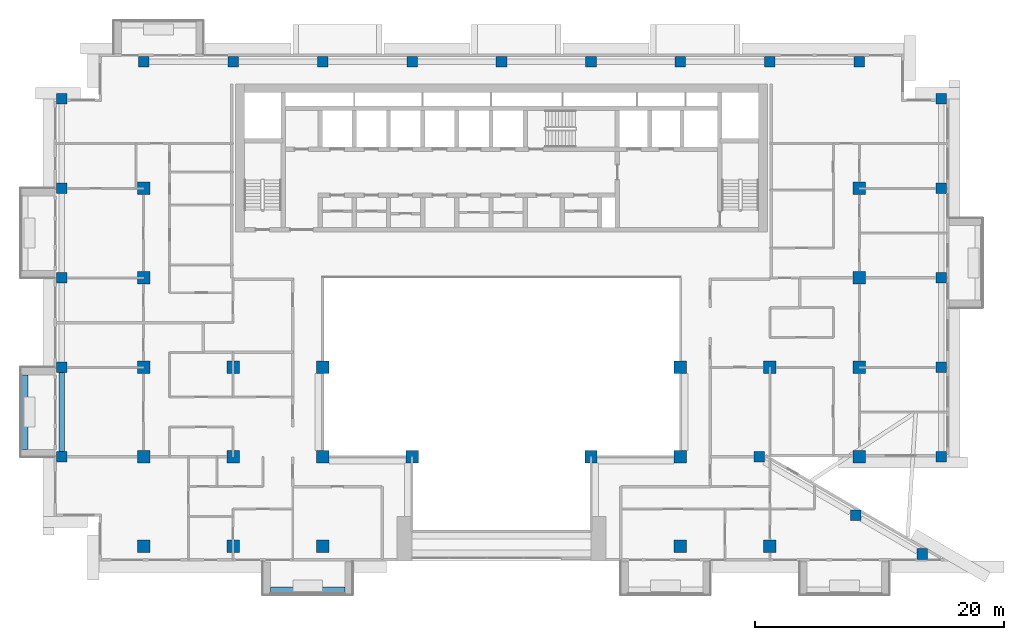
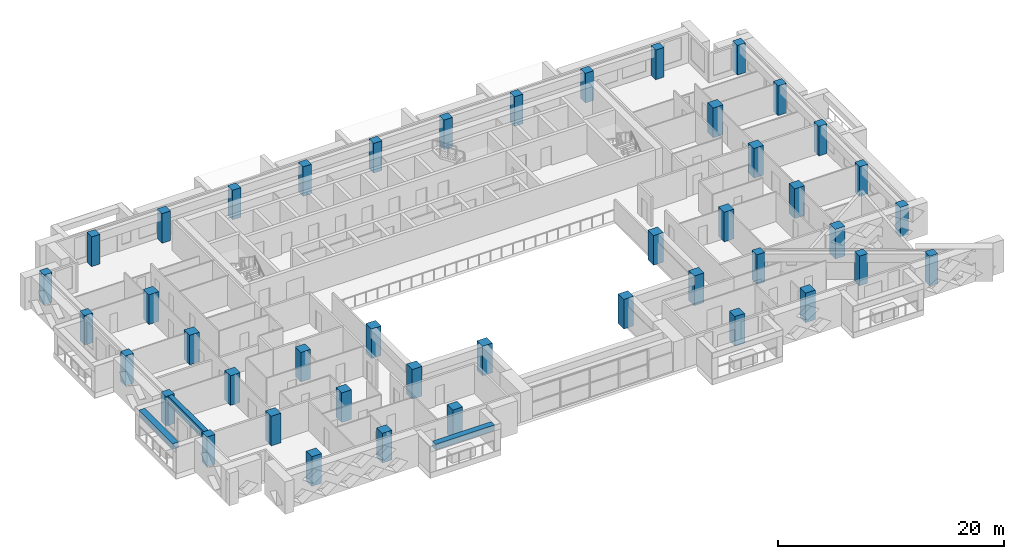
# One storey, part 1 of 20: 44 columns, 3 beams.
"""IFC4 building model written with IfcOpenShell, lengths in metres."""

from ifc_helpers import new_model, si_unit, direction, frame, origin, origin_2d, place, context, subcontext, project, spatial, rectangle, extrude, source, transform, mapped, material, material_profile, profile_set, type_object, element, save


model = new_model("IFC4")

# Units and contexts
model_context = context("Model", 3, precision=1e-05, world=origin(), true_north=direction((0.0, 1.0)))
body_context = subcontext(model_context, "Body", "Model", "MODEL_VIEW")
ifc_project = project(units=[si_unit("LENGTHUNIT", "METRE"), si_unit("AREAUNIT", "SQUARE_METRE"), si_unit("VOLUMEUNIT", "CUBIC_METRE"), si_unit("PLANEANGLEUNIT", "RADIAN"), si_unit("MASSUNIT", "GRAM", prefix="KILO")], contexts=[model_context])

# Site, building, storey
site_placement = place(None, origin())
site = spatial("IfcSite", under=ifc_project, at=site_placement, CompositionType="ELEMENT")
building_placement = place(site_placement, origin())
building = spatial("IfcBuilding", under=site, at=building_placement, Name="Saffron Iwan Residences", CompositionType="ELEMENT")
storey_placement = place(building_placement, frame((0.0, 0.0, 153.5)))
storey = spatial("IfcBuildingStorey", under=building, at=storey_placement, Name="L40", CompositionType="ELEMENT", Elevation=153.5)

# Columns
ifc_material_1 = material(Name="Concrete C50/60", Category="concrete")
ifc_material_profile_1 = material_profile(ifc_material_1, rectangle(XDim=0.85009765625, YDim=0.85009765625, at=origin_2d()), Name="RC 850x850")
ifc_profile_set_1 = profile_set([ifc_material_profile_1], Name="Concrete C50/60")
column_type_1 = type_object("IfcColumnType", Name="COL RC 850x850 C50/60 3200 HIGH", PredefinedType="COLUMN", material=ifc_profile_set_1)
shared_shape_1 = source(origin(), body_context, "Body", "SweptSolid", [
    extrude(rectangle(XDim=0.85009765625, YDim=0.85009765625, at=origin_2d()), origin(), (0.0, 0.0, 1.0), 3.199951171875),
])
for number, where, z_axis, x_axis, name in (
    (1, (84.276123046875, 40.17431640625, 0.0), (0.0, 0.0, 1.0), (1.0, 0.0, 0.0), "Column C045"),
    (2, (78.897705078125, 43.28173828125, 0.0), (0.0, 0.0, 1.0), (1.0, 0.0, 0.0), "Column C058"),
    (3, (15.0, 48.0, 0.0), (0.0, 0.0, 1.0), (1.0, 0.0, 0.0), "Column C061"),
    (4, (71.14990234375, 48.0, 0.0), (0.0, 0.0, 1.0), (1.0, 0.0, 0.0), "Column C070"),
    (5, (85.800048828125, 48.0, 0.0), (0.0, 0.0, 1.0), (1.0, 0.0, 0.0), "Column C074"),
    (6, (15.0, 55.199951171875, 0.0), (0.0, 0.0, 1.0), (1.0, 0.0, 0.0), "Column C077"),
    (7, (85.800048828125, 55.199951171875, 0.0), (0.0, 0.0, 1.0), (1.0, 0.0, 0.0), "Column C086"),
    (8, (15.0, 62.39990234375, 0.0), (0.0, 0.0, 1.0), (1.0, 0.0, 0.0), "Column C089"),
    (9, (85.800048828125, 62.39990234375, 0.0), (0.0, 0.0, 1.0), (1.0, 0.0, 0.0), "Column C094"),
    (10, (15.0, 69.60009765625, 0.0), (0.0, 0.0, 1.0), (1.0, 0.0, 0.0), "Column C097"),
    (11, (85.800048828125, 69.60009765625, 0.0), (0.0, 0.0, 1.0), (1.0, 0.0, 0.0), "Column C102"),
    (12, (15.0, 76.800048828125, 0.0), (0.0, 0.0, 1.0), (1.0, 0.0, 0.0), "Column C105"),
    (13, (85.800048828125, 76.800048828125, 0.0), (0.0, 0.0, 1.0), (1.0, 0.0, 0.0), "Column C110"),
    (14, (21.60009765625, 79.800048828125, 0.0), (0.0, 0.0, 1.0), (1.0, 0.0, 0.0), "Column C113"),
    (15, (28.800048828125, 79.800048828125, 0.0), (0.0, 0.0, 1.0), (1.0, 0.0, 0.0), "Column C115"),
    (16, (36.0, 79.800048828125, 0.0), (0.0, 0.0, 1.0), (1.0, 0.0, 0.0), "Column C116"),
    (17, (43.199951171875, 79.800048828125, 0.0), (0.0, 0.0, 1.0), (1.0, 0.0, 0.0), "Column C117"),
    (18, (50.39990234375, 79.800048828125, 0.0), (0.0, 0.0, 1.0), (1.0, 0.0, 0.0), "Column C118"),
    (19, (57.60009765625, 79.800048828125, 0.0), (0.0, 0.0, 1.0), (1.0, 0.0, 0.0), "Column C119"),
    (20, (64.800048828125, 79.800048828125, 0.0), (0.0, 0.0, 1.0), (1.0, 0.0, 0.0), "Column C120"),
    (21, (72.0, 79.800048828125, 0.0), (0.0, 0.0, 1.0), (1.0, 0.0, 0.0), "Column C121"),
    (22, (79.199951171875, 79.800048828125, 0.0), (0.0, 0.0, 1.0), (1.0, 0.0, 0.0), "Column C123"),
):
    element("IfcColumn", number, at=place(storey_placement, frame(where, z_axis=z_axis, x_axis=x_axis)), inside=storey, type_object=column_type_1, Name=name, PredefinedType="COLUMN", context=body_context, shape_type="MappedRepresentation", body=[
        mapped(shared_shape_1, transform((0.0, 0.0, 0.0))),
    ])
ifc_material_profile_2 = material_profile(ifc_material_1, rectangle(XDim=1.0, YDim=1.0, at=origin_2d()), Name="RC 1000x1000")
ifc_profile_set_2 = profile_set([ifc_material_profile_2], Name="Concrete C50/60")
column_type_2 = type_object("IfcColumnType", Name="COL RC 1000x1000 C50/60 3200 HIGH", PredefinedType="COLUMN", material=ifc_profile_set_2)
shared_shape_2 = source(origin(), body_context, "Body", "SweptSolid", [
    extrude(rectangle(XDim=1.0, YDim=1.0, at=origin_2d()), origin(), (0.0, 0.0, 1.0), 3.199951171875),
])
for number, where, z_axis, x_axis, name in (
    (23, (21.60009765625, 40.800048828125, 0.0), (0.0, 0.0, 1.0), (1.0, 0.0, 0.0), "Column C049"),
    (24, (28.800048828125, 40.800048828125, 0.0), (0.0, 0.0, 1.0), (1.0, 0.0, 0.0), "Column C051"),
    (25, (36.0, 40.800048828125, 0.0), (0.0, 0.0, 1.0), (1.0, 0.0, 0.0), "Column C052"),
    (26, (64.800048828125, 40.800048828125, 0.0), (0.0, 0.0, 1.0), (1.0, 0.0, 0.0), "Column C055"),
    (27, (72.0, 40.800048828125, 0.0), (0.0, 0.0, 1.0), (1.0, 0.0, 0.0), "Column C056"),
    (28, (21.60009765625, 48.0, 0.0), (0.0, 0.0, 1.0), (1.0, 0.0, 0.0), "Column C063"),
    (29, (28.800048828125, 48.0, 0.0), (0.0, 0.0, 1.0), (1.0, 0.0, 0.0), "Column C064"),
    (30, (36.0, 48.0, 0.0), (0.0, 0.0, 1.0), (1.0, 0.0, 0.0), "Column C065"),
    (31, (43.199951171875, 48.0, 0.0), (0.0, 0.0, 1.0), (1.0, 0.0, 0.0), "Column C066"),
    (32, (57.60009765625, 48.0, 0.0), (0.0, 0.0, 1.0), (1.0, 0.0, 0.0), "Column C068"),
    (33, (64.800048828125, 48.0, 0.0), (0.0, 0.0, 1.0), (1.0, 0.0, 0.0), "Column C069"),
    (34, (79.199951171875, 48.0, 0.0), (0.0, 0.0, 1.0), (1.0, 0.0, 0.0), "Column C072"),
    (35, (21.60009765625, 55.199951171875, 0.0), (0.0, 0.0, 1.0), (1.0, 0.0, 0.0), "Column C079"),
    (36, (28.800048828125, 55.199951171875, 0.0), (0.0, 0.0, 1.0), (1.0, 0.0, 0.0), "Column C080"),
    (37, (36.0, 55.199951171875, 0.0), (0.0, 0.0, 1.0), (1.0, 0.0, 0.0), "Column C081"),
    (38, (64.800048828125, 55.199951171875, 0.0), (0.0, 0.0, 1.0), (1.0, 0.0, 0.0), "Column C082"),
    (39, (72.0, 55.199951171875, 0.0), (0.0, 0.0, 1.0), (1.0, 0.0, 0.0), "Column C083"),
    (40, (79.199951171875, 55.199951171875, 0.0), (0.0, 0.0, 1.0), (1.0, 0.0, 0.0), "Column C084"),
    (41, (21.60009765625, 62.39990234375, 0.0), (0.0, 0.0, 1.0), (1.0, 0.0, 0.0), "Column C091"),
    (42, (79.199951171875, 62.39990234375, 0.0), (0.0, 0.0, 1.0), (1.0, 0.0, 0.0), "Column C092"),
    (43, (21.60009765625, 69.60009765625, 0.0), (0.0, 0.0, 1.0), (1.0, 0.0, 0.0), "Column C099"),
    (44, (79.199951171875, 69.60009765625, 0.0), (0.0, 0.0, 1.0), (1.0, 0.0, 0.0), "Column C100"),
):
    element("IfcColumn", number, at=place(storey_placement, frame(where, z_axis=z_axis, x_axis=x_axis)), inside=storey, type_object=column_type_2, Name=name, PredefinedType="COLUMN", context=body_context, shape_type="MappedRepresentation", body=[
        mapped(shared_shape_2, transform((0.0, 0.0, 0.0))),
    ])

# Beams
ifc_material_profile_3 = material_profile(ifc_material_1, rectangle(XDim=0.449951171875, YDim=0.89990234375, at=origin_2d()), Name="RC 450x900")
ifc_profile_set_3 = profile_set([ifc_material_profile_3], Name="Concrete C50/60")
beam_type_1 = type_object("IfcBeamType", Name="SPANDREL BEAM RC 450x900 C50/60 TOP 3200", PredefinedType="SPANDREL", material=ifc_profile_set_3)
shared_shape_3 = source(origin(), body_context, "Body", "SweptSolid", [
    extrude(rectangle(XDim=0.449951171875, YDim=0.89990234375, at=origin_2d()), origin(), (0.0, 0.0, 1.0), 6.349853515625),
])
beam_placement = place(storey_placement, frame((15.0, 48.425048828125, 2.75), z_axis=(0.0, 1.0, 0.0), x_axis=(-1.0, 0.0, 0.0)))
element("IfcBeam", 45, at=beam_placement, inside=storey, type_object=beam_type_1, Name="Spandrel beam", PredefinedType="SPANDREL", context=body_context, shape_type="MappedRepresentation", body=[
    mapped(shared_shape_3, transform((0.0, 0.0, 0.0))),
])
ifc_material_2 = material(Name="Concrete C50/60 white painted", Category="concrete")
ifc_material_profile_4 = material_profile(ifc_material_2, rectangle(XDim=0.60009765625, YDim=0.60009765625, at=origin_2d()), Name="BALCONY FASCIA BEAM 600 x 600")
ifc_profile_set_4 = profile_set([ifc_material_profile_4], Name="Concrete C50/60 white painted")
beam_type_2 = type_object("IfcBeamType", Name="BALCONY FASCIA BEAM 600 x 600", PredefinedType="BEAM", material=ifc_profile_set_4)
shared_shape_4 = source(origin(), body_context, "Body", "SweptSolid", [
    extrude(rectangle(XDim=0.60009765625, YDim=0.60009765625, at=origin_2d()), origin(), (0.0, 0.0, 1.0), 6.0),
])
for number, where, z_axis, x_axis, name in (
    (46, (12.0, 54.60009765625, 2.550048828125), (0.0, -1.0, 0.0), (1.0, 0.0, 0.0), "Balcony fascia beam L40 F8-1"),
    (47, (31.800048828125, 37.199951171875, 2.550048828125), (1.0, 0.0, 0.0), (0.0, 1.0, 0.0), "Balcony fascia beam L40 11-0"),
):
    element("IfcBeam", number, at=place(storey_placement, frame(where, z_axis=z_axis, x_axis=x_axis)), inside=storey, type_object=beam_type_2, Name=name, PredefinedType="BEAM", context=body_context, shape_type="MappedRepresentation", body=[
        mapped(shared_shape_4, transform((0.0, 0.0, 0.0))),
    ])

save(model, "model.ifc")
